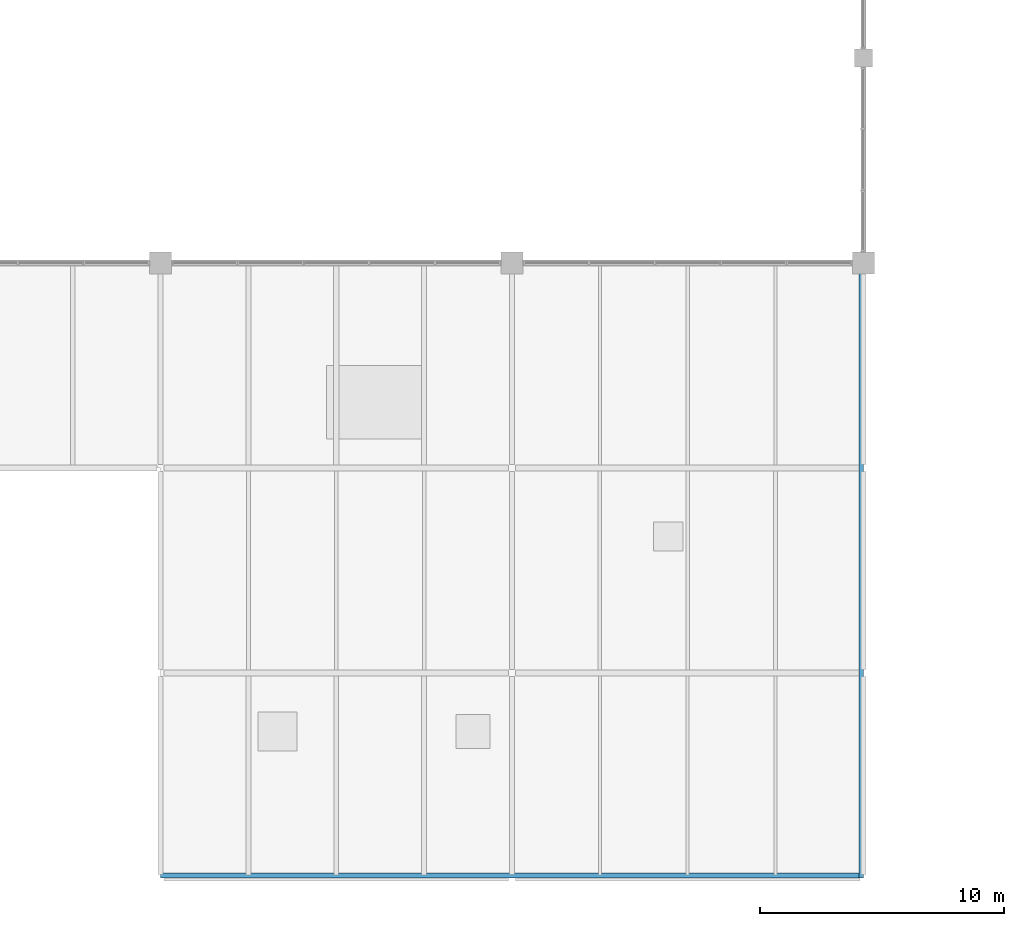
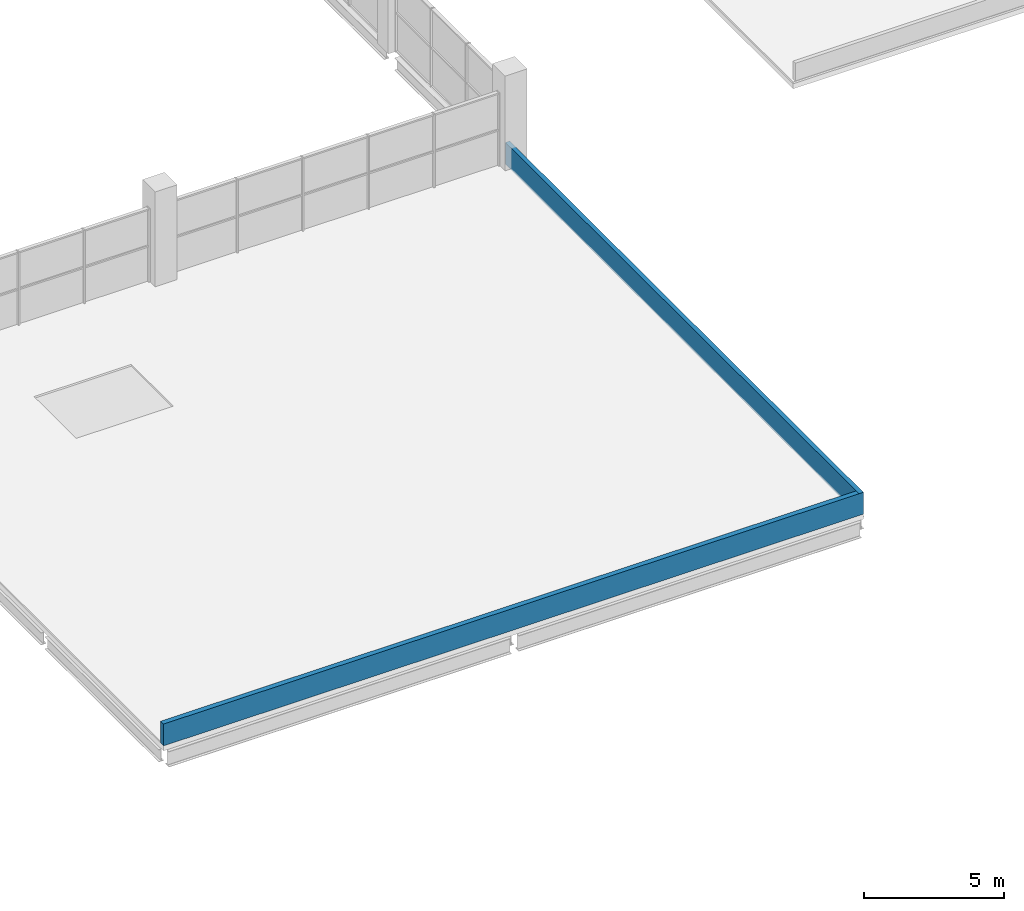
# One storey, part 78 of 93: 2 walls.
"""IFC4 building model written with IfcOpenShell, lengths in metres."""

import ifcopenshell
import ifcopenshell.guid

model = None  # the IFC model being written
_history = None  # IfcOwnerHistory: only IFC2X3 demands one
_inside = {}  # id of a spatial element -> (the spatial element, [elements in it])
_under = {}  # id of a project, library or spatial element -> (it, [spatial elements below it])
_declared = {}  # id of a project -> (the project, [libraries it declares])
_typed = {}  # id of a type object -> (the type object, [elements of that type])
_made_of = {}  # id of a material, layer set ... -> (it, [elements and type objects made of it])


def new_model(schema):
    """Start an empty IFC model of exactly this schema.

    Asked for "IFC4X3", IfcOpenShell would pick the latest addendum, in which some entities
    have other attributes; the version numbers below select the first issue.
    IFC2X3 requires an IfcOwnerHistory on every rooted entity: one is made here for all.
    """
    global model, _history
    if schema == "IFC4X3":
        model = ifcopenshell.file(schema_version=(4, 3, 0, 0))
    else:
        model = ifcopenshell.file(schema=schema)
    _inside.clear()
    _under.clear()
    _declared.clear()
    _typed.clear()
    _made_of.clear()
    _history = None
    if model.schema == "IFC2X3":
        org = make("IfcOrganization", Name="unknown")
        user = make(
            "IfcPersonAndOrganization",
            ThePerson=make("IfcPerson", FamilyName="unknown"),
            TheOrganization=org,
        )
        app = make(
            "IfcApplication",
            ApplicationDeveloper=org,
            Version="unknown",
            ApplicationFullName="unknown",
            ApplicationIdentifier="unknown",
        )
        _history = make(
            "IfcOwnerHistory",
            OwningUser=user,
            OwningApplication=app,
            ChangeAction="ADDED",
            CreationDate=0,
        )
    return model


def make(cls, **values):
    """One entity of the class cls with the attributes given. An attribute that is None is left unset."""
    return model.create_entity(
        cls, **{name: value for name, value in values.items() if value is not None}
    )


def rooted(cls, **values):
    """An entity with a GlobalId (a new one), such as an element, a storey or a relation."""
    return make(cls, GlobalId=ifcopenshell.guid.new(), OwnerHistory=_history, **values)


def si_unit(unit_type, name, prefix=None):
    """IfcSIUnit, for example si_unit("LENGTHUNIT", "METRE", prefix="MILLI")."""
    return make("IfcSIUnit", UnitType=unit_type, Prefix=prefix, Name=name)


def assignment(units):
    """IfcUnitAssignment: the units of a project."""
    return None if units is None else make("IfcUnitAssignment", Units=units)


def point(xyz):
    """IfcCartesianPoint."""
    return None if xyz is None else make("IfcCartesianPoint", Coordinates=xyz)


def direction(xyz):
    """IfcDirection."""
    return None if xyz is None else make("IfcDirection", DirectionRatios=xyz)


def frame(location, z_axis=None, x_axis=None):
    """IfcAxis2Placement3D, a coordinate frame: its origin and axes. An axis left out is left unset."""
    return make(
        "IfcAxis2Placement3D",
        Location=point(location),
        Axis=direction(z_axis),
        RefDirection=direction(x_axis),
    )


def frame_2d(location, x_axis=None):
    """IfcAxis2Placement2D, a coordinate frame in the plane: its origin and x axis."""
    return make(
        "IfcAxis2Placement2D", Location=point(location), RefDirection=direction(x_axis)
    )


def origin():
    """The frame at (0, 0, 0) with its axes left unset."""
    return frame((0.0, 0.0, 0.0))


def place(relative_to, where):
    """IfcLocalPlacement: puts the frame where relative to a parent placement (None: the world)."""
    return make(
        "IfcLocalPlacement", PlacementRelTo=relative_to, RelativePlacement=where
    )


def context(
    kind, dimensions, precision=None, world=None, true_north=None, identifier=None
):
    """IfcGeometricRepresentationContext, for example the 3D "Model" context."""
    return make(
        "IfcGeometricRepresentationContext",
        ContextIdentifier=identifier,
        ContextType=kind,
        CoordinateSpaceDimension=dimensions,
        Precision=precision,
        WorldCoordinateSystem=world,
        TrueNorth=true_north,
    )


def subcontext(parent, identifier, kind, view, scale=None):
    """IfcGeometricRepresentationSubContext, for example "Body" below "Model"."""
    return make(
        "IfcGeometricRepresentationSubContext",
        ContextIdentifier=identifier,
        ContextType=kind,
        ParentContext=parent,
        TargetScale=scale,
        TargetView=view,
    )


def project(units=None, contexts=None):
    """IfcProject with its units and contexts."""
    return rooted(
        "IfcProject",
        Name="project",
        RepresentationContexts=contexts,
        UnitsInContext=assignment(units),
    )


def spatial(cls, under=None, at=None, **own):
    """A site, building, storey or space (cls), placed at a placement, below another one or the project."""
    s = rooted(cls, ObjectPlacement=at, **own)
    if under is not None:
        _under.setdefault(under.id(), (under, []))[1].append(s)
    return s


def profile(cls, at=None, kind="AREA", **sizes):
    """A parametric profile (cls). Its sizes go by their IFC names, for example OverallWidth=200.0."""
    return make(cls, ProfileType=kind, Position=at, **sizes)


def rectangle(**sizes):
    """IfcRectangleProfileDef."""
    return profile("IfcRectangleProfileDef", **sizes)


def extrude(swept, where, along, depth):
    """IfcExtrudedAreaSolid: the profile swept, set in the frame where, extruded along a direction by depth."""
    return make(
        "IfcExtrudedAreaSolid",
        SweptArea=swept,
        Position=where,
        ExtrudedDirection=direction(along),
        Depth=depth,
    )


def shape(context_of_items, identifier, shape_type, items):
    """IfcShapeRepresentation: the items that make up one representation, for example the "Body"."""
    return make(
        "IfcShapeRepresentation",
        ContextOfItems=context_of_items,
        RepresentationIdentifier=identifier,
        RepresentationType=shape_type,
        Items=items,
    )


def material(Name=None, Category=None):
    """IfcMaterial."""
    return make("IfcMaterial", Name=Name, Category=Category)


def layer(
    of_material, thickness, ventilated=None, Name=None, Category=None, Priority=None
):
    """IfcMaterialLayer: one layer of a wall or slab, of a material (None: an air gap)."""
    return make(
        "IfcMaterialLayer",
        Material=of_material,
        LayerThickness=thickness,
        IsVentilated=ventilated,
        Name=Name,
        Category=Category,
        Priority=Priority,
    )


def layer_set(layers, Name=None):
    """IfcMaterialLayerSet."""
    return make("IfcMaterialLayerSet", MaterialLayers=layers, LayerSetName=Name)


def made_of(thing, what):
    """Note that an element or type object is made of a material, layer set ...; save() writes the relation."""
    if what is not None:
        _made_of.setdefault(what.id(), (what, []))[1].append(thing)
    return thing


def type_object(cls, material=None, **own):
    """A type object (cls), such as IfcWallType, which elements share."""
    return made_of(rooted(cls, **own), material)


def element(
    cls,
    number,
    at=None,
    inside=None,
    cuts=None,
    type_object=None,
    material=None,
    context=None,
    identifier="Body",
    shape_type=None,
    held_by="IfcProductDefinitionShape",
    body=None,
    shapes=None,
    **own,
):
    """One element of the class cls, such as IfcWall. Its Tag is "e" and its number.

    at: its placement. inside: the storey or other place that contains it. cuts: it is an
    opening in that element (IfcRelVoidsElement). A single representation is given by context,
    identifier, shape_type and body (its items); several are given by shapes. held_by: the class
    of the entity that holds the representations. save() writes the other relations.
    """
    e = rooted(cls, Tag="e%d" % number, ObjectPlacement=at, **own)
    if body is not None:
        shapes = [shape(context, identifier, shape_type, body)]
    if shapes is not None:
        e.Representation = make(held_by, Representations=shapes)
    if inside is not None:
        _inside.setdefault(inside.id(), (inside, []))[1].append(e)
    if cuts is not None:
        rooted(
            "IfcRelVoidsElement", RelatingBuildingElement=cuts, RelatedOpeningElement=e
        )
    if type_object is not None:
        _typed.setdefault(type_object.id(), (type_object, []))[1].append(e)
    return made_of(e, material)


def aggregate(whole, parts):
    """IfcRelAggregates: a whole, such as a stair, and the parts it consists of."""
    return rooted("IfcRelAggregates", RelatingObject=whole, RelatedObjects=parts)


def save(model, path):
    """Write the relations noted so far, then the file.

    IfcRelAggregates (storeys below a building ...), IfcRelContainedInSpatialStructure (elements
    in a storey), IfcRelDefinesByType, IfcRelAssociatesMaterial and IfcRelDeclares: one each for
    every whole, place, type object, material and project.
    """
    for whole, parts in _under.values():
        aggregate(whole, parts)
    for where, things in _inside.values():
        rooted(
            "IfcRelContainedInSpatialStructure",
            RelatedElements=things,
            RelatingStructure=where,
        )
    for kind, things in _typed.values():
        rooted("IfcRelDefinesByType", RelatedObjects=things, RelatingType=kind)
    for what, things in _made_of.values():
        rooted("IfcRelAssociatesMaterial", RelatedObjects=things, RelatingMaterial=what)
    for by, libraries in _declared.values():
        rooted("IfcRelDeclares", RelatingContext=by, RelatedDefinitions=libraries)
    model.write(path)


model = new_model("IFC4")

# Units and contexts
model_context = context("Model", 3, precision=1e-05, world=origin(), true_north=direction((0.0, 1.0)))
body_context = subcontext(model_context, "Body", "Model", "MODEL_VIEW")
ifc_project = project(units=[si_unit("LENGTHUNIT", "METRE"), si_unit("AREAUNIT", "SQUARE_METRE"), si_unit("VOLUMEUNIT", "CUBIC_METRE"), si_unit("PLANEANGLEUNIT", "RADIAN"), si_unit("MASSUNIT", "GRAM", prefix="KILO"), si_unit("THERMODYNAMICTEMPERATUREUNIT", "KELVIN")], contexts=[model_context])

# Site, building, storey
site_placement = place(None, origin())
site = spatial("IfcSite", under=ifc_project, at=site_placement, CompositionType="ELEMENT")
building_placement = place(site_placement, origin())
building = spatial("IfcBuilding", under=site, at=building_placement, Name="Nduvali Passage Aquatics Centre", CompositionType="ELEMENT")
storey_placement = place(building_placement, frame((0.0, 0.0, 9.0)))
storey = spatial("IfcBuildingStorey", under=building, at=storey_placement, Name="L02", CompositionType="ELEMENT", Elevation=9.0)

# Walls
ifc_material = material(Name="Coral-stone masonry blockwork", Category="masonry")
ifc_layer_1 = layer(ifc_material, 0.179931640625, Name="Coral-stone masonry blockwork")
ifc_layer_set_1 = layer_set([ifc_layer_1], Name="Coral-stone masonry blockwork")
wall_type_1 = type_object("IfcWallType", Name="ENV-WAL-PAR180", PredefinedType="PARAPET", material=ifc_layer_set_1)
wall_1_placement = place(storey_placement, frame((125.909912109375, 0.0, 0.0), z_axis=(0.0, 0.0, 1.0), x_axis=(0.0, 1.0, 0.0)))
element("IfcWall", 1, at=wall_1_placement, inside=storey, type_object=wall_type_1, Name="V4 Roof East Parapet", PredefinedType="PARAPET", context=body_context, shape_type="SweptSolid", body=[
    extrude(rectangle(XDim=25.199951171875, YDim=0.179931640625, at=frame_2d((12.60009765625, 0.0))), origin(), (0.0, 0.0, 1.0), 0.949951171875),
])
ifc_layer_2 = layer(ifc_material, 0.2099609375, Name="Coral-stone masonry blockwork")
ifc_layer_set_2 = layer_set([ifc_layer_2], Name="Coral-stone masonry blockwork")
wall_type_2 = type_object("IfcWallType", Name="ENV-WAL-PAR200", PredefinedType="PARAPET", material=ifc_layer_set_2)
wall_2_placement = place(storey_placement, frame((97.199951171875, 0.10009765625, 0.0), z_axis=(0.0, 0.0, 1.0), x_axis=(1.0, 0.0, 0.0)))
element("IfcWall", 2, at=wall_2_placement, inside=storey, type_object=wall_type_2, Name="V4 Roof South-East Parapet", PredefinedType="PARAPET", context=body_context, shape_type="SweptSolid", body=[
    extrude(rectangle(XDim=28.800048828125, YDim=0.2099609375, at=frame_2d((14.39990234375, 0.0))), origin(), (0.0, 0.0, 1.0), 0.949951171875),
])

save(model, "model.ifc")
